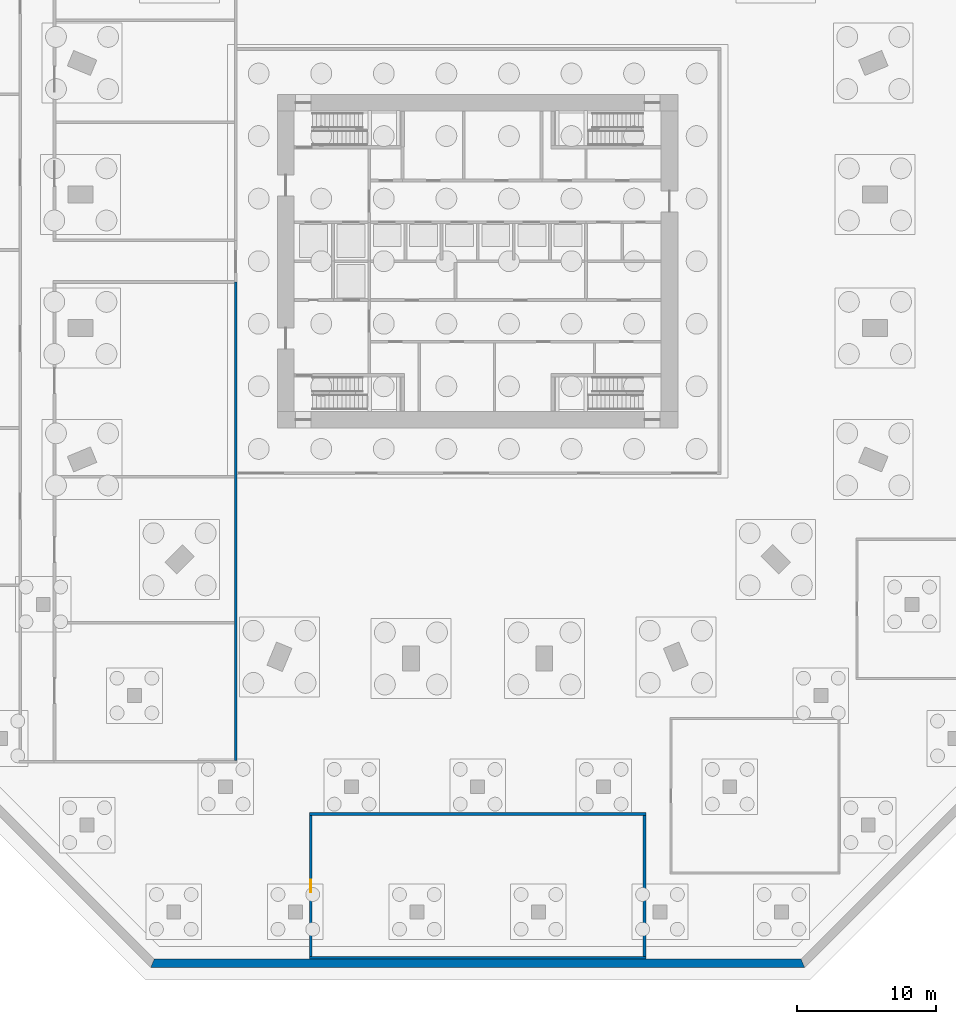
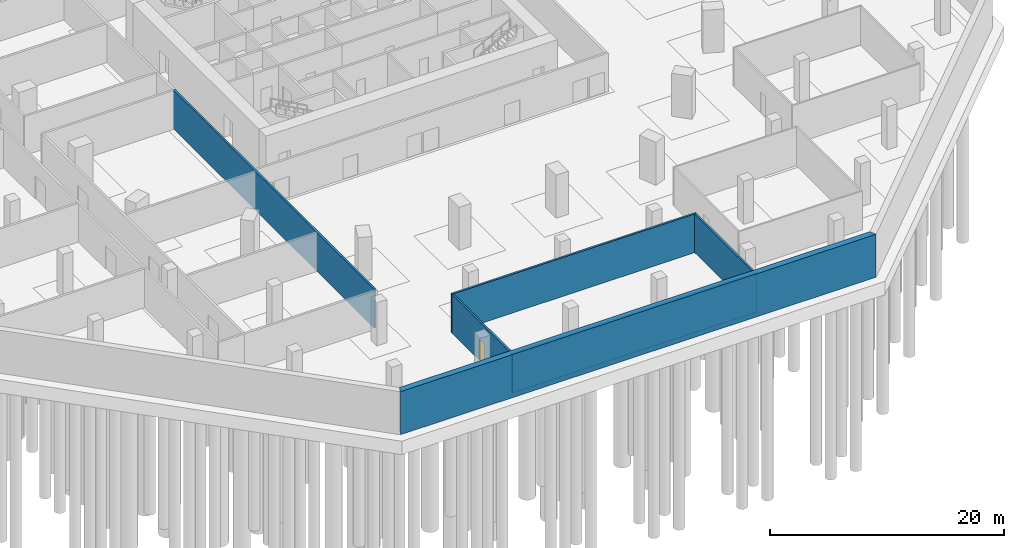
# One storey, part 5 of 14: 6 walls, 1 door, 1 opening.
"""IFC4 building model written with IfcOpenShell, lengths in metres."""

from ifc_helpers import new_model, si_unit, direction, frame, frame_2d, origin, place, context, subcontext, project, spatial, polyline, rectangle, outline, extrude, material, layer, layer_set, type_object, element, fill, save


model = new_model("IFC4")

# Units and contexts
model_context = context("Model", 3, precision=1e-05, world=origin(), true_north=direction((0.0, 1.0)))
body_context = subcontext(model_context, "Body", "Model", "MODEL_VIEW")
ifc_project = project(units=[si_unit("LENGTHUNIT", "METRE"), si_unit("AREAUNIT", "SQUARE_METRE"), si_unit("VOLUMEUNIT", "CUBIC_METRE"), si_unit("PLANEANGLEUNIT", "RADIAN"), si_unit("MASSUNIT", "GRAM", prefix="KILO")], contexts=[model_context])

# Site, building, storey
site_placement = place(None, origin())
site = spatial("IfcSite", under=ifc_project, at=site_placement, CompositionType="ELEMENT")
building_placement = place(site_placement, origin())
building = spatial("IfcBuilding", under=site, at=building_placement, Name="Msitu Wima Residences", CompositionType="ELEMENT")
storey_placement = place(building_placement, frame((0.0, 0.0, -9.0)))
storey = spatial("IfcBuildingStorey", under=building, at=storey_placement, Name="B2", CompositionType="ELEMENT", Elevation=-9.0)

# Wall
ifc_material_1 = material(Name="Plaster")
ifc_layer_1 = layer(ifc_material_1, 0.011962890625, Name="Plaster")
ifc_material_2 = material(Name="Reinforced concrete blockwork", Category="masonry")
ifc_layer_2 = layer(ifc_material_2, 0.176025390625, Name="Reinforced concrete blockwork")
ifc_layer_3 = layer(ifc_material_1, 0.011962890625, Name="Plaster")
ifc_layer_set_1 = layer_set([ifc_layer_1, ifc_layer_2, ifc_layer_3], Name="Reinforced concrete blockwork")
wall_type_1 = type_object("IfcWallType", Name="Plant and riser wall PL200", PredefinedType="PARTITIONING", material=ifc_layer_set_1)
wall_1_placement = place(storey_placement, frame((-17.39990234375, -35.89990234375, 0.0), z_axis=(0.0, 0.0, 1.0), x_axis=(0.0, 1.0, 0.0)))
element("IfcWall", 1, at=wall_1_placement, inside=storey, type_object=wall_type_1, Name="Plant and riser wall", PredefinedType="PARTITIONING", context=body_context, shape_type="SweptSolid", body=[
    extrude(rectangle(XDim=34.419921875, YDim=0.199951171875, at=frame_2d((17.2099609375, 0.0))), origin(), (0.0, 0.0, 1.0), 4.048095703125),
])

# Wall, opening, door
wall_2_placement = place(storey_placement, frame((-12.0, -50.0, 0.0), z_axis=(0.0, 0.0, 1.0), x_axis=(0.0, 1.0, 0.0)))
wall_2 = element("IfcWall", 2, at=wall_2_placement, inside=storey, type_object=wall_type_1, Name="Plant and riser wall", PredefinedType="PARTITIONING", context=body_context, shape_type="SweptSolid", body=[
    extrude(rectangle(XDim=10.135986328125, YDim=0.199951171875, at=frame_2d((5.06787109375, 0.0))), origin(), (0.0, 0.0, 1.0), 4.048095703125),
])
opening_placement = place(wall_2_placement, frame((4.60009765625, 0.0, 0.0)))
opening = element("IfcOpeningElement", 3, at=opening_placement, cuts=wall_2, Name="Opening DB2.042", PredefinedType="OPENING", context=body_context, shape_type="SweptSolid", body=[
    extrude(rectangle(XDim=0.89990234375, YDim=2.199951171875, at=frame_2d((0.449951171875, 1.10009765625))), frame((0.0, 0.10986328125, 0.0), z_axis=(0.0, -1.0, 0.0), x_axis=(1.0, 0.0, 0.0)), (0.0, 0.0, 1.0), 0.219970703125),
])
ifc_material_3 = material(Name="Timber flush door", Category="wood")
door_type = type_object("IfcDoorType", Name="Service door D05 900x2200", OperationType="SINGLE_SWING_LEFT", PredefinedType="DOOR", material=ifc_material_3)
door_placement = place(opening_placement, origin())
door = element("IfcDoor", 4, at=door_placement, inside=storey, type_object=door_type, Name="Service door", OperationType="SINGLE_SWING_RIGHT", OverallHeight=2.199951171875, OverallWidth=0.89990234375, PredefinedType="DOOR", context=body_context, shape_type="SweptSolid", body=[
    extrude(rectangle(XDim=0.89990234375, YDim=2.199951171875, at=frame_2d((0.449951171875, 1.10009765625))), frame((0.0, 0.02490234375, 0.0), z_axis=(0.0, -1.0, 0.0), x_axis=(1.0, 0.0, 0.0)), (0.0, 0.0, 1.0), 0.050048828125),
])
fill(opening, door)

# Walls
for number, where, z_axis, x_axis, name in (
    (5, (-12.10009765625, -50.10009765625, 0.0), (0.0, 0.0, 1.0), (1.0, 0.0, 0.0), "Plant and riser wall"),
    (6, (-12.10009765625, -39.763916015625, 0.0), (0.0, 0.0, 1.0), (1.0, 0.0, 0.0), "Plant and riser wall"),
):
    element("IfcWall", number, at=place(storey_placement, frame(where, z_axis=z_axis, x_axis=x_axis)), inside=storey, type_object=wall_type_1, Name=name, PredefinedType="PARTITIONING", context=body_context, shape_type="SweptSolid", body=[
        extrude(rectangle(XDim=24.2001953125, YDim=0.199951171875, at=frame_2d((12.10009765625, 0.0))), origin(), (0.0, 0.0, 1.0), 4.048095703125),
    ])
wall_3_placement = place(storey_placement, frame((12.0, -50.0, 0.0), z_axis=(0.0, 0.0, 1.0), x_axis=(0.0, 1.0, 0.0)))
element("IfcWall", 7, at=wall_3_placement, inside=storey, type_object=wall_type_1, Name="Plant and riser wall", PredefinedType="PARTITIONING", context=body_context, shape_type="SweptSolid", body=[
    extrude(rectangle(XDim=10.135986328125, YDim=0.199951171875, at=frame_2d((5.06787109375, 0.0))), origin(), (0.0, 0.0, 1.0), 4.048095703125),
])
ifc_material_4 = material(Name="Concrete C60/75", Category="concrete")
ifc_layer_4 = layer(ifc_material_4, 0.60009765625)
ifc_layer_set_2 = layer_set([ifc_layer_4], Name="Concrete C60/75")
wall_type_2 = type_object("IfcWallType", Name="Retaining wall RW600", PredefinedType="SOLIDWALL", material=ifc_layer_set_2)
wall_4_placement = place(storey_placement, origin())
element("IfcWall", 8, at=wall_4_placement, inside=storey, type_object=wall_type_2, Name="Basement retaining wall S B2", PredefinedType="SOLIDWALL", context=body_context, shape_type="SweptSolid", body=[
    extrude(outline(polyline([(-23.5126953125, -50.800048828125), (23.5126953125, -50.800048828125), (23.26416015625, -50.199951171875), (-23.26416015625, -50.199951171875), (-23.5126953125, -50.800048828125)])), origin(), (0.0, 0.0, 1.0), 4.5),
])

save(model, "model.ifc")
